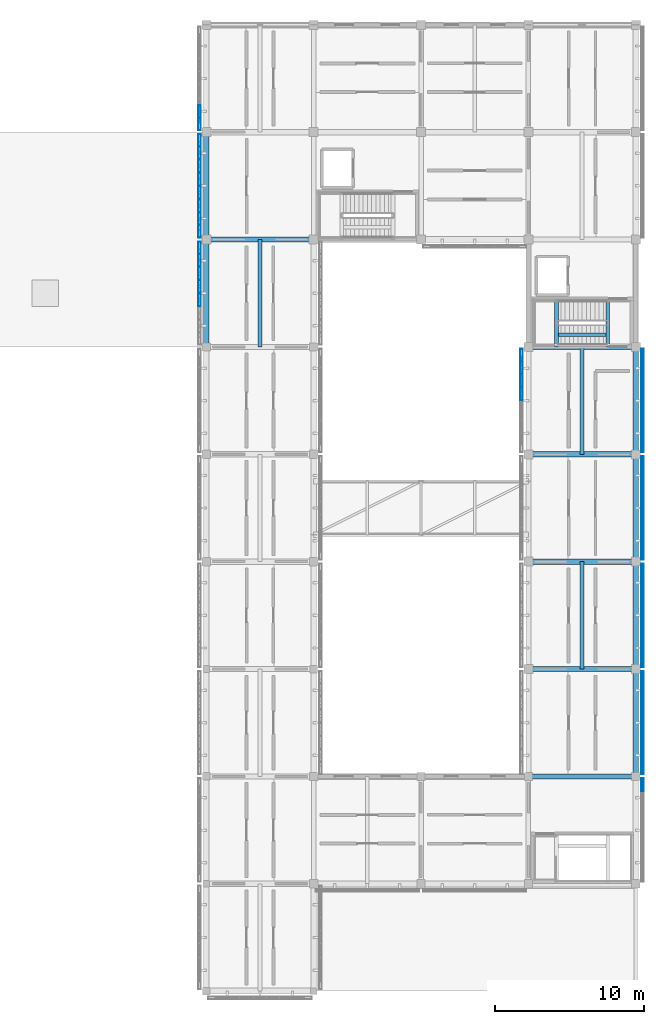
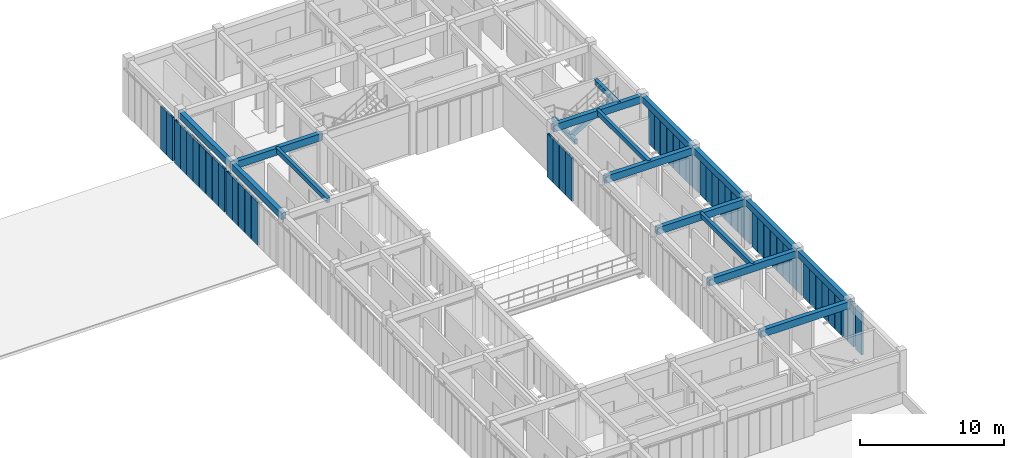
# One storey, part 14 of 91: 52 members, 18 beams, 9 elements without a shape of their own.
"""IFC4 building model written with IfcOpenShell, lengths in metres."""

from ifc_helpers import new_model, si_unit, direction, frame, origin, origin_2d, place, context, subcontext, project, spatial, rectangle, hollow_rectangle, extrude, material, material_profile, profile_set, type_object, element, aggregate, save


model = new_model("IFC4")

# Units and contexts
model_context = context("Model", 3, precision=1e-05, world=origin(), true_north=direction((0.0, 1.0)))
body_context = subcontext(model_context, "Body", "Model", "MODEL_VIEW")
ifc_project = project(units=[si_unit("LENGTHUNIT", "METRE"), si_unit("AREAUNIT", "SQUARE_METRE"), si_unit("VOLUMEUNIT", "CUBIC_METRE"), si_unit("PLANEANGLEUNIT", "RADIAN"), si_unit("MASSUNIT", "GRAM", prefix="KILO")], contexts=[model_context])

# Site, building, storey
site_placement = place(None, origin())
site = spatial("IfcSite", under=ifc_project, at=site_placement, CompositionType="ELEMENT")
building_placement = place(site_placement, origin())
building = spatial("IfcBuilding", under=site, at=building_placement, Name="Aldebral Square Health Centre", CompositionType="ELEMENT")
storey_placement = place(building_placement, frame((0.0, 0.0, 9.0)))
storey = spatial("IfcBuildingStorey", under=building, at=storey_placement, Name="L02", CompositionType="ELEMENT", Elevation=9.0)

# Beams
ifc_material_1 = material(Name="Concrete C40/50", Category="concrete")
ifc_material_profile_1 = material_profile(ifc_material_1, rectangle(XDim=0.35009765625, YDim=0.60009765625, at=origin_2d()), Name="RC 350x600")
ifc_profile_set_1 = profile_set([ifc_material_profile_1], Name="Concrete C40/50")
beam_type_1 = type_object("IfcBeamType", Name="BM-B2", PredefinedType="BEAM", material=ifc_profile_set_1)
beam_1_placement = place(storey_placement, frame((136.800048828125, 100.800048828125, 3.93994140625), z_axis=(1.0, 0.0, 0.0), x_axis=(0.0, 1.0, 0.0)))
element("IfcBeam", 1, at=beam_1_placement, inside=storey, type_object=beam_type_1, Name="L02 X-beam 20-21/G15", PredefinedType="BEAM", context=body_context, shape_type="SweptSolid", body=[
    extrude(rectangle(XDim=0.35009765625, YDim=0.60009765625, at=origin_2d()), origin(), (0.0, 0.0, 1.0), 7.199951171875),
])
for number, where, z_axis, x_axis, name in (
    (2, (158.39990234375, 64.800048828125, 3.93994140625), (1.0, 0.0, 0.0), (0.0, 1.0, 0.0), "L02 X-beam 23-24/G10"),
    (3, (158.39990234375, 72.0, 3.93994140625), (1.0, 0.0, 0.0), (0.0, 1.0, 0.0), "L02 X-beam 23-24/G11"),
    (4, (158.39990234375, 79.199951171875, 3.93994140625), (1.0, 0.0, 0.0), (0.0, 1.0, 0.0), "L02 X-beam 23-24/G12"),
    (5, (158.39990234375, 86.39990234375, 3.93994140625), (1.0, 0.0, 0.0), (0.0, 1.0, 0.0), "L02 X-beam 23-24/G13"),
    (6, (158.39990234375, 93.60009765625, 3.93994140625), (1.0, 0.0, 0.0), (0.0, 1.0, 0.0), "L02 X-beam 23-24/G14"),
):
    element("IfcBeam", number, at=place(storey_placement, frame(where, z_axis=z_axis, x_axis=x_axis)), inside=storey, type_object=beam_type_1, Name=name, PredefinedType="BEAM", context=body_context, shape_type="SweptSolid", body=[
        extrude(rectangle(XDim=0.35009765625, YDim=0.60009765625, at=origin_2d()), origin(), (0.0, 0.0, 1.0), 7.2001953125),
    ])
ifc_material_profile_2 = material_profile(ifc_material_1, rectangle(XDim=0.35009765625, YDim=0.550048828125, at=origin_2d()), Name="RC 350x550")
ifc_profile_set_2 = profile_set([ifc_material_profile_2], Name="Concrete C40/50")
beam_type_2 = type_object("IfcBeamType", Name="BM-B3", PredefinedType="BEAM", material=ifc_profile_set_2)
for number, where, z_axis, x_axis, name in (
    (7, (136.800048828125, 93.60009765625, 3.965087890625), (0.0, 1.0, 0.0), (-1.0, 0.0, 0.0), "L02 Y-beam G20/14-15"),
    (8, (136.800048828125, 100.800048828125, 3.965087890625), (0.0, 1.0, 0.0), (-1.0, 0.0, 0.0), "L02 Y-beam G20/15-16"),
    (9, (165.60009765625, 64.800048828125, 3.965087890625), (0.0, 1.0, 0.0), (-1.0, 0.0, 0.0), "L02 Y-beam G24/10-11"),
    (10, (165.60009765625, 72.0, 3.965087890625), (0.0, 1.0, 0.0), (-1.0, 0.0, 0.0), "L02 Y-beam G24/11-12"),
    (11, (165.60009765625, 79.199951171875, 3.965087890625), (0.0, 1.0, 0.0), (-1.0, 0.0, 0.0), "L02 Y-beam G24/12-13"),
):
    element("IfcBeam", number, at=place(storey_placement, frame(where, z_axis=z_axis, x_axis=x_axis)), inside=storey, type_object=beam_type_2, Name=name, PredefinedType="BEAM", context=body_context, shape_type="SweptSolid", body=[
        extrude(rectangle(XDim=0.35009765625, YDim=0.550048828125, at=origin_2d()), origin(), (0.0, 0.0, 1.0), 7.199951171875),
    ])
beam_2_placement = place(storey_placement, frame((165.60009765625, 86.39990234375, 3.965087890625), z_axis=(0.0, 1.0, 0.0), x_axis=(-1.0, 0.0, 0.0)))
element("IfcBeam", 12, at=beam_2_placement, inside=storey, type_object=beam_type_2, Name="L02 Y-beam G24/13-14", PredefinedType="BEAM", context=body_context, shape_type="SweptSolid", body=[
    extrude(rectangle(XDim=0.35009765625, YDim=0.550048828125, at=origin_2d()), origin(), (0.0, 0.0, 1.0), 7.2001953125),
])
ifc_material_profile_3 = material_profile(ifc_material_1, rectangle(XDim=0.25, YDim=0.39990234375, at=origin_2d()), Name="RC 250x400")
ifc_profile_set_3 = profile_set([ifc_material_profile_3], Name="Concrete C40/50")
beam_type_3 = type_object("IfcBeamType", Name="BM-B6", PredefinedType="JOIST", material=ifc_profile_set_3)
for number, where, z_axis, x_axis, name in (
    (13, (140.39990234375, 93.60009765625, 4.0400390625), (0.0, 1.0, 0.0), (-1.0, 0.0, 0.0), "L02 secondary rib 20.14"),
    (14, (162.0, 72.0, 4.0400390625), (0.0, 1.0, 0.0), (-1.0, 0.0, 0.0), "L02 secondary rib 23.11"),
):
    element("IfcBeam", number, at=place(storey_placement, frame(where, z_axis=z_axis, x_axis=x_axis)), inside=storey, type_object=beam_type_3, Name=name, PredefinedType="JOIST", context=body_context, shape_type="SweptSolid", body=[
        extrude(rectangle(XDim=0.25, YDim=0.39990234375, at=origin_2d()), origin(), (0.0, 0.0, 1.0), 7.199951171875),
    ])
beam_3_placement = place(storey_placement, frame((162.0, 86.39990234375, 4.0400390625), z_axis=(0.0, 1.0, 0.0), x_axis=(-1.0, 0.0, 0.0)))
element("IfcBeam", 15, at=beam_3_placement, inside=storey, type_object=beam_type_3, Name="L02 secondary rib 23.13", PredefinedType="JOIST", context=body_context, shape_type="SweptSolid", body=[
    extrude(rectangle(XDim=0.25, YDim=0.39990234375, at=origin_2d()), origin(), (0.0, 0.0, 1.0), 7.2001953125),
])
for number, where, z_axis, x_axis, name in (
    (16, (160.280029296875, 93.610107421875, 2.050048828125), (0.0, 1.0, 0.0), (-1.0, 0.0, 0.0), "L02 WC-C3 half-landing beam"),
    (17, (163.719970703125, 93.610107421875, 4.0400390625), (0.0, 1.0, 0.0), (-1.0, 0.0, 0.0), "L02 WC-C3 upper landing beam"),
):
    element("IfcBeam", number, at=place(storey_placement, frame(where, z_axis=z_axis, x_axis=x_axis)), inside=storey, type_object=beam_type_3, Name=name, PredefinedType="JOIST", context=body_context, shape_type="SweptSolid", body=[
        extrude(rectangle(XDim=0.25, YDim=0.39990234375, at=origin_2d()), origin(), (0.0, 0.0, 1.0), 3.219970703125),
    ])
beam_4_placement = place(storey_placement, frame((160.280029296875, 94.419921875, 2.050048828125), z_axis=(0.865595878586, 0.0, 0.500743222595), x_axis=(0.0, 1.0, 0.0)))
element("IfcBeam", 18, at=beam_4_placement, inside=storey, type_object=beam_type_3, Name="L02 WC-C3 flight stringer beam", PredefinedType="JOIST", context=body_context, shape_type="SweptSolid", body=[
    extrude(rectangle(XDim=0.25, YDim=0.39990234375, at=origin_2d()), origin(), (0.0, 0.0, 1.0), 3.97412109375),
])

# Curtain wall, members
ifc_material_2 = material(Name="Aluminium and low-E solar glass", Category="aluminium")
curtain_wall_type = type_object("IfcCurtainWallType", Name="CW-FIN-SYS", PredefinedType="USERDEFINED", material=ifc_material_2)
curtain_wall_1_placement = place(storey_placement, origin())
curtain_wall_1 = element("IfcCurtainWall", 19, at=curtain_wall_1_placement, inside=storey, type_object=curtain_wall_type, Name="L02 V5 finned curtain wall L02-V5-19-13-W", ObjectType="SOLAR_CURTAIN_WALL", PredefinedType="USERDEFINED")
ifc_material_3 = material(Name="Sienna-terracotta clad aluminium fin", Category="masonry")
ifc_material_profile_4 = material_profile(ifc_material_3, hollow_rectangle(XDim=0.159912109375, YDim=0.85009765625, WallThickness=0.006103515625, at=origin_2d()), Name="FIN 160x850x6")
ifc_profile_set_4 = profile_set([ifc_material_profile_4], Name="Sienna-terracotta clad aluminium fin")
member_type = type_object("IfcMemberType", Name="CWM-FIN", PredefinedType="MULLION", material=ifc_profile_set_4)
member_1_placement = place(storey_placement, frame((136.340087890625, 100.239990234375, 0.0), z_axis=(0.0, 0.0, 1.0), x_axis=(1.0, 0.0, 0.0)))
member_1 = element("IfcMember", 20, at=member_1_placement, type_object=member_type, Name="CW1 mullion 1", PredefinedType="MULLION", context=body_context, shape_type="SweptSolid", body=[
    extrude(hollow_rectangle(XDim=0.159912109375, YDim=0.85009765625, WallThickness=0.006103515625, at=origin_2d()), origin(), (0.0, 0.0, 1.0), 3.68994140625),
])
member_2_placement = place(storey_placement, frame((136.340087890625, 99.428466796875, 0.0), z_axis=(0.0, 0.0, 1.0), x_axis=(1.0, 0.0, 0.0)))
member_2 = element("IfcMember", 21, at=member_2_placement, type_object=member_type, Name="CW1 mullion 2", PredefinedType="MULLION", context=body_context, shape_type="SweptSolid", body=[
    extrude(hollow_rectangle(XDim=0.159912109375, YDim=0.85009765625, WallThickness=0.006103515625, at=origin_2d()), origin(), (0.0, 0.0, 1.0), 3.68994140625),
])
member_3_placement = place(storey_placement, frame((136.340087890625, 98.537109375, 0.0), z_axis=(0.0, 0.0, 1.0), x_axis=(1.0, 0.0, 0.0)))
member_3 = element("IfcMember", 22, at=member_3_placement, type_object=member_type, Name="CW1 mullion 3", PredefinedType="MULLION", context=body_context, shape_type="SweptSolid", body=[
    extrude(hollow_rectangle(XDim=0.159912109375, YDim=0.85009765625, WallThickness=0.006103515625, at=origin_2d()), origin(), (0.0, 0.0, 1.0), 3.68994140625),
])
member_4_placement = place(storey_placement, frame((136.340087890625, 97.645751953125, 0.0), z_axis=(0.0, 0.0, 1.0), x_axis=(1.0, 0.0, 0.0)))
member_4 = element("IfcMember", 23, at=member_4_placement, type_object=member_type, Name="CW1 mullion 4", PredefinedType="MULLION", context=body_context, shape_type="SweptSolid", body=[
    extrude(hollow_rectangle(XDim=0.159912109375, YDim=0.85009765625, WallThickness=0.006103515625, at=origin_2d()), origin(), (0.0, 0.0, 1.0), 3.68994140625),
])
member_5_placement = place(storey_placement, frame((136.340087890625, 96.75439453125, 0.0), z_axis=(0.0, 0.0, 1.0), x_axis=(1.0, 0.0, 0.0)))
member_5 = element("IfcMember", 24, at=member_5_placement, type_object=member_type, Name="CW1 mullion 5", PredefinedType="MULLION", context=body_context, shape_type="SweptSolid", body=[
    extrude(hollow_rectangle(XDim=0.159912109375, YDim=0.85009765625, WallThickness=0.006103515625, at=origin_2d()), origin(), (0.0, 0.0, 1.0), 3.68994140625),
])
aggregate(curtain_wall_1, [member_1, member_2, member_3, member_4, member_5])

curtain_wall_2_placement = place(storey_placement, origin())
curtain_wall_2 = element("IfcCurtainWall", 25, at=curtain_wall_2_placement, inside=storey, type_object=curtain_wall_type, Name="L02 V5 finned curtain wall L02-V5-19-14-W", ObjectType="SOLAR_CURTAIN_WALL", PredefinedType="USERDEFINED")
member_6_placement = place(storey_placement, frame((136.340087890625, 107.43994140625, 0.0), z_axis=(0.0, 0.0, 1.0), x_axis=(1.0, 0.0, 0.0)))
member_6 = element("IfcMember", 26, at=member_6_placement, type_object=member_type, Name="CW1 mullion 1", PredefinedType="MULLION", context=body_context, shape_type="SweptSolid", body=[
    extrude(hollow_rectangle(XDim=0.159912109375, YDim=0.85009765625, WallThickness=0.006103515625, at=origin_2d()), origin(), (0.0, 0.0, 1.0), 3.68994140625),
])
member_7_placement = place(storey_placement, frame((136.340087890625, 106.628662109375, 0.0), z_axis=(0.0, 0.0, 1.0), x_axis=(1.0, 0.0, 0.0)))
member_7 = element("IfcMember", 27, at=member_7_placement, type_object=member_type, Name="CW1 mullion 2", PredefinedType="MULLION", context=body_context, shape_type="SweptSolid", body=[
    extrude(hollow_rectangle(XDim=0.159912109375, YDim=0.85009765625, WallThickness=0.006103515625, at=origin_2d()), origin(), (0.0, 0.0, 1.0), 3.68994140625),
])
member_8_placement = place(storey_placement, frame((136.340087890625, 105.737060546875, 0.0), z_axis=(0.0, 0.0, 1.0), x_axis=(1.0, 0.0, 0.0)))
member_8 = element("IfcMember", 28, at=member_8_placement, type_object=member_type, Name="CW1 mullion 3", PredefinedType="MULLION", context=body_context, shape_type="SweptSolid", body=[
    extrude(hollow_rectangle(XDim=0.159912109375, YDim=0.85009765625, WallThickness=0.006103515625, at=origin_2d()), origin(), (0.0, 0.0, 1.0), 3.68994140625),
])
member_9_placement = place(storey_placement, frame((136.340087890625, 104.845703125, 0.0), z_axis=(0.0, 0.0, 1.0), x_axis=(1.0, 0.0, 0.0)))
member_9 = element("IfcMember", 29, at=member_9_placement, type_object=member_type, Name="CW1 mullion 4", PredefinedType="MULLION", context=body_context, shape_type="SweptSolid", body=[
    extrude(hollow_rectangle(XDim=0.159912109375, YDim=0.85009765625, WallThickness=0.006103515625, at=origin_2d()), origin(), (0.0, 0.0, 1.0), 3.68994140625),
])
member_10_placement = place(storey_placement, frame((136.340087890625, 103.954345703125, 0.0), z_axis=(0.0, 0.0, 1.0), x_axis=(1.0, 0.0, 0.0)))
member_10 = element("IfcMember", 30, at=member_10_placement, type_object=member_type, Name="CW1 mullion 5", PredefinedType="MULLION", context=body_context, shape_type="SweptSolid", body=[
    extrude(hollow_rectangle(XDim=0.159912109375, YDim=0.85009765625, WallThickness=0.006103515625, at=origin_2d()), origin(), (0.0, 0.0, 1.0), 3.68994140625),
])
member_11_placement = place(storey_placement, frame((136.340087890625, 103.062744140625, 0.0), z_axis=(0.0, 0.0, 1.0), x_axis=(1.0, 0.0, 0.0)))
member_11 = element("IfcMember", 31, at=member_11_placement, type_object=member_type, Name="CW1 mullion 6", PredefinedType="MULLION", context=body_context, shape_type="SweptSolid", body=[
    extrude(hollow_rectangle(XDim=0.159912109375, YDim=0.85009765625, WallThickness=0.006103515625, at=origin_2d()), origin(), (0.0, 0.0, 1.0), 3.68994140625),
])
member_12_placement = place(storey_placement, frame((136.340087890625, 102.17138671875, 0.0), z_axis=(0.0, 0.0, 1.0), x_axis=(1.0, 0.0, 0.0)))
member_12 = element("IfcMember", 32, at=member_12_placement, type_object=member_type, Name="CW1 mullion 7", PredefinedType="MULLION", context=body_context, shape_type="SweptSolid", body=[
    extrude(hollow_rectangle(XDim=0.159912109375, YDim=0.85009765625, WallThickness=0.006103515625, at=origin_2d()), origin(), (0.0, 0.0, 1.0), 3.68994140625),
])
member_13_placement = place(storey_placement, frame((136.340087890625, 101.360107421875, 0.0), z_axis=(0.0, 0.0, 1.0), x_axis=(1.0, 0.0, 0.0)))
member_13 = element("IfcMember", 33, at=member_13_placement, type_object=member_type, Name="CW1 mullion 8", PredefinedType="MULLION", context=body_context, shape_type="SweptSolid", body=[
    extrude(hollow_rectangle(XDim=0.159912109375, YDim=0.85009765625, WallThickness=0.006103515625, at=origin_2d()), origin(), (0.0, 0.0, 1.0), 3.68994140625),
])
aggregate(curtain_wall_2, [member_6, member_7, member_8, member_9, member_10, member_11, member_12, member_13])

curtain_wall_3_placement = place(storey_placement, origin())
curtain_wall_3 = element("IfcCurtainWall", 34, at=curtain_wall_3_placement, inside=storey, type_object=curtain_wall_type, Name="L02 V5 finned curtain wall L02-V5-19-15-W", ObjectType="SOLAR_CURTAIN_WALL", PredefinedType="USERDEFINED")
member_14_placement = place(storey_placement, frame((136.340087890625, 109.371337890625, 0.0), z_axis=(0.0, 0.0, 1.0), x_axis=(1.0, 0.0, 0.0)))
member_14 = element("IfcMember", 35, at=member_14_placement, type_object=member_type, Name="CW1 mullion 7", PredefinedType="MULLION", context=body_context, shape_type="SweptSolid", body=[
    extrude(hollow_rectangle(XDim=0.159912109375, YDim=0.85009765625, WallThickness=0.006103515625, at=origin_2d()), origin(), (0.0, 0.0, 1.0), 3.68994140625),
])
member_15_placement = place(storey_placement, frame((136.340087890625, 108.56005859375, 0.0), z_axis=(0.0, 0.0, 1.0), x_axis=(1.0, 0.0, 0.0)))
member_15 = element("IfcMember", 36, at=member_15_placement, type_object=member_type, Name="CW1 mullion 8", PredefinedType="MULLION", context=body_context, shape_type="SweptSolid", body=[
    extrude(hollow_rectangle(XDim=0.159912109375, YDim=0.85009765625, WallThickness=0.006103515625, at=origin_2d()), origin(), (0.0, 0.0, 1.0), 3.68994140625),
])
aggregate(curtain_wall_3, [member_14, member_15])

# Curtain wall, member
curtain_wall_4_placement = place(storey_placement, origin())
curtain_wall_4 = element("IfcCurtainWall", 37, at=curtain_wall_4_placement, inside=storey, type_object=curtain_wall_type, Name="L02 V5 finned curtain wall L02-V5-22-08-E", ObjectType="SOLAR_CURTAIN_WALL", PredefinedType="USERDEFINED")
member_16_placement = place(storey_placement, frame((166.06005859375, 64.239990234375, 0.0), z_axis=(0.0, 0.0, 1.0), x_axis=(-1.0, 0.0, 0.0)))
member_16 = element("IfcMember", 38, at=member_16_placement, type_object=member_type, Name="CW1 mullion 8", PredefinedType="MULLION", context=body_context, shape_type="SweptSolid", body=[
    extrude(hollow_rectangle(XDim=0.159912109375, YDim=0.85009765625, WallThickness=0.006103515625, at=origin_2d()), origin(), (0.0, 0.0, 1.0), 3.68994140625),
])
aggregate(curtain_wall_4, [member_16])

# Curtain wall, members
curtain_wall_5_placement = place(storey_placement, origin())
curtain_wall_5 = element("IfcCurtainWall", 39, at=curtain_wall_5_placement, inside=storey, type_object=curtain_wall_type, Name="L02 V5 finned curtain wall L02-V5-22-09-E", ObjectType="SOLAR_CURTAIN_WALL", PredefinedType="USERDEFINED")
member_17_placement = place(storey_placement, frame((166.06005859375, 65.360107421875, 0.0), z_axis=(0.0, 0.0, 1.0), x_axis=(-1.0, 0.0, 0.0)))
member_17 = element("IfcMember", 40, at=member_17_placement, type_object=member_type, Name="CW1 mullion 1", PredefinedType="MULLION", context=body_context, shape_type="SweptSolid", body=[
    extrude(hollow_rectangle(XDim=0.159912109375, YDim=0.85009765625, WallThickness=0.006103515625, at=origin_2d()), origin(), (0.0, 0.0, 1.0), 3.68994140625),
])
member_18_placement = place(storey_placement, frame((166.06005859375, 66.17138671875, 0.0), z_axis=(0.0, 0.0, 1.0), x_axis=(-1.0, 0.0, 0.0)))
member_18 = element("IfcMember", 41, at=member_18_placement, type_object=member_type, Name="CW1 mullion 2", PredefinedType="MULLION", context=body_context, shape_type="SweptSolid", body=[
    extrude(hollow_rectangle(XDim=0.159912109375, YDim=0.85009765625, WallThickness=0.006103515625, at=origin_2d()), origin(), (0.0, 0.0, 1.0), 3.68994140625),
])
member_19_placement = place(storey_placement, frame((166.06005859375, 67.062744140625, 0.0), z_axis=(0.0, 0.0, 1.0), x_axis=(-1.0, 0.0, 0.0)))
member_19 = element("IfcMember", 42, at=member_19_placement, type_object=member_type, Name="CW1 mullion 3", PredefinedType="MULLION", context=body_context, shape_type="SweptSolid", body=[
    extrude(hollow_rectangle(XDim=0.159912109375, YDim=0.85009765625, WallThickness=0.006103515625, at=origin_2d()), origin(), (0.0, 0.0, 1.0), 3.68994140625),
])
member_20_placement = place(storey_placement, frame((166.06005859375, 67.954345703125, 0.0), z_axis=(0.0, 0.0, 1.0), x_axis=(-1.0, 0.0, 0.0)))
member_20 = element("IfcMember", 43, at=member_20_placement, type_object=member_type, Name="CW1 mullion 4", PredefinedType="MULLION", context=body_context, shape_type="SweptSolid", body=[
    extrude(hollow_rectangle(XDim=0.159912109375, YDim=0.85009765625, WallThickness=0.006103515625, at=origin_2d()), origin(), (0.0, 0.0, 1.0), 3.68994140625),
])
member_21_placement = place(storey_placement, frame((166.06005859375, 68.845703125, 0.0), z_axis=(0.0, 0.0, 1.0), x_axis=(-1.0, 0.0, 0.0)))
member_21 = element("IfcMember", 44, at=member_21_placement, type_object=member_type, Name="CW1 mullion 5", PredefinedType="MULLION", context=body_context, shape_type="SweptSolid", body=[
    extrude(hollow_rectangle(XDim=0.159912109375, YDim=0.85009765625, WallThickness=0.006103515625, at=origin_2d()), origin(), (0.0, 0.0, 1.0), 3.68994140625),
])
member_22_placement = place(storey_placement, frame((166.06005859375, 69.737060546875, 0.0), z_axis=(0.0, 0.0, 1.0), x_axis=(-1.0, 0.0, 0.0)))
member_22 = element("IfcMember", 45, at=member_22_placement, type_object=member_type, Name="CW1 mullion 6", PredefinedType="MULLION", context=body_context, shape_type="SweptSolid", body=[
    extrude(hollow_rectangle(XDim=0.159912109375, YDim=0.85009765625, WallThickness=0.006103515625, at=origin_2d()), origin(), (0.0, 0.0, 1.0), 3.68994140625),
])
member_23_placement = place(storey_placement, frame((166.06005859375, 70.628662109375, 0.0), z_axis=(0.0, 0.0, 1.0), x_axis=(-1.0, 0.0, 0.0)))
member_23 = element("IfcMember", 46, at=member_23_placement, type_object=member_type, Name="CW1 mullion 7", PredefinedType="MULLION", context=body_context, shape_type="SweptSolid", body=[
    extrude(hollow_rectangle(XDim=0.159912109375, YDim=0.85009765625, WallThickness=0.006103515625, at=origin_2d()), origin(), (0.0, 0.0, 1.0), 3.68994140625),
])
member_24_placement = place(storey_placement, frame((166.06005859375, 71.43994140625, 0.0), z_axis=(0.0, 0.0, 1.0), x_axis=(-1.0, 0.0, 0.0)))
member_24 = element("IfcMember", 47, at=member_24_placement, type_object=member_type, Name="CW1 mullion 8", PredefinedType="MULLION", context=body_context, shape_type="SweptSolid", body=[
    extrude(hollow_rectangle(XDim=0.159912109375, YDim=0.85009765625, WallThickness=0.006103515625, at=origin_2d()), origin(), (0.0, 0.0, 1.0), 3.68994140625),
])
aggregate(curtain_wall_5, [member_17, member_18, member_19, member_20, member_21, member_22, member_23, member_24])

curtain_wall_6_placement = place(storey_placement, origin())
curtain_wall_6 = element("IfcCurtainWall", 48, at=curtain_wall_6_placement, inside=storey, type_object=curtain_wall_type, Name="L02 V5 finned curtain wall L02-V5-22-10-E", ObjectType="SOLAR_CURTAIN_WALL", PredefinedType="USERDEFINED")
member_25_placement = place(storey_placement, frame((166.06005859375, 72.56005859375, 0.0), z_axis=(0.0, 0.0, 1.0), x_axis=(-1.0, 0.0, 0.0)))
member_25 = element("IfcMember", 49, at=member_25_placement, type_object=member_type, Name="CW1 mullion 1", PredefinedType="MULLION", context=body_context, shape_type="SweptSolid", body=[
    extrude(hollow_rectangle(XDim=0.159912109375, YDim=0.85009765625, WallThickness=0.006103515625, at=origin_2d()), origin(), (0.0, 0.0, 1.0), 3.68994140625),
])
member_26_placement = place(storey_placement, frame((166.06005859375, 73.371337890625, 0.0), z_axis=(0.0, 0.0, 1.0), x_axis=(-1.0, 0.0, 0.0)))
member_26 = element("IfcMember", 50, at=member_26_placement, type_object=member_type, Name="CW1 mullion 2", PredefinedType="MULLION", context=body_context, shape_type="SweptSolid", body=[
    extrude(hollow_rectangle(XDim=0.159912109375, YDim=0.85009765625, WallThickness=0.006103515625, at=origin_2d()), origin(), (0.0, 0.0, 1.0), 3.68994140625),
])
member_27_placement = place(storey_placement, frame((166.06005859375, 74.262939453125, 0.0), z_axis=(0.0, 0.0, 1.0), x_axis=(-1.0, 0.0, 0.0)))
member_27 = element("IfcMember", 51, at=member_27_placement, type_object=member_type, Name="CW1 mullion 3", PredefinedType="MULLION", context=body_context, shape_type="SweptSolid", body=[
    extrude(hollow_rectangle(XDim=0.159912109375, YDim=0.85009765625, WallThickness=0.006103515625, at=origin_2d()), origin(), (0.0, 0.0, 1.0), 3.68994140625),
])
member_28_placement = place(storey_placement, frame((166.06005859375, 75.154296875, 0.0), z_axis=(0.0, 0.0, 1.0), x_axis=(-1.0, 0.0, 0.0)))
member_28 = element("IfcMember", 52, at=member_28_placement, type_object=member_type, Name="CW1 mullion 4", PredefinedType="MULLION", context=body_context, shape_type="SweptSolid", body=[
    extrude(hollow_rectangle(XDim=0.159912109375, YDim=0.85009765625, WallThickness=0.006103515625, at=origin_2d()), origin(), (0.0, 0.0, 1.0), 3.68994140625),
])
member_29_placement = place(storey_placement, frame((166.06005859375, 76.045654296875, 0.0), z_axis=(0.0, 0.0, 1.0), x_axis=(-1.0, 0.0, 0.0)))
member_29 = element("IfcMember", 53, at=member_29_placement, type_object=member_type, Name="CW1 mullion 5", PredefinedType="MULLION", context=body_context, shape_type="SweptSolid", body=[
    extrude(hollow_rectangle(XDim=0.159912109375, YDim=0.85009765625, WallThickness=0.006103515625, at=origin_2d()), origin(), (0.0, 0.0, 1.0), 3.68994140625),
])
member_30_placement = place(storey_placement, frame((166.06005859375, 76.937255859375, 0.0), z_axis=(0.0, 0.0, 1.0), x_axis=(-1.0, 0.0, 0.0)))
member_30 = element("IfcMember", 54, at=member_30_placement, type_object=member_type, Name="CW1 mullion 6", PredefinedType="MULLION", context=body_context, shape_type="SweptSolid", body=[
    extrude(hollow_rectangle(XDim=0.159912109375, YDim=0.85009765625, WallThickness=0.006103515625, at=origin_2d()), origin(), (0.0, 0.0, 1.0), 3.68994140625),
])
member_31_placement = place(storey_placement, frame((166.06005859375, 77.82861328125, 0.0), z_axis=(0.0, 0.0, 1.0), x_axis=(-1.0, 0.0, 0.0)))
member_31 = element("IfcMember", 55, at=member_31_placement, type_object=member_type, Name="CW1 mullion 7", PredefinedType="MULLION", context=body_context, shape_type="SweptSolid", body=[
    extrude(hollow_rectangle(XDim=0.159912109375, YDim=0.85009765625, WallThickness=0.006103515625, at=origin_2d()), origin(), (0.0, 0.0, 1.0), 3.68994140625),
])
member_32_placement = place(storey_placement, frame((166.06005859375, 78.639892578125, 0.0), z_axis=(0.0, 0.0, 1.0), x_axis=(-1.0, 0.0, 0.0)))
member_32 = element("IfcMember", 56, at=member_32_placement, type_object=member_type, Name="CW1 mullion 8", PredefinedType="MULLION", context=body_context, shape_type="SweptSolid", body=[
    extrude(hollow_rectangle(XDim=0.159912109375, YDim=0.85009765625, WallThickness=0.006103515625, at=origin_2d()), origin(), (0.0, 0.0, 1.0), 3.68994140625),
])
aggregate(curtain_wall_6, [member_25, member_26, member_27, member_28, member_29, member_30, member_31, member_32])

curtain_wall_7_placement = place(storey_placement, origin())
curtain_wall_7 = element("IfcCurtainWall", 57, at=curtain_wall_7_placement, inside=storey, type_object=curtain_wall_type, Name="L02 V5 finned curtain wall L02-V5-22-11-E", ObjectType="SOLAR_CURTAIN_WALL", PredefinedType="USERDEFINED")
member_33_placement = place(storey_placement, frame((166.06005859375, 79.760009765625, 0.0), z_axis=(0.0, 0.0, 1.0), x_axis=(-1.0, 0.0, 0.0)))
member_33 = element("IfcMember", 58, at=member_33_placement, type_object=member_type, Name="CW1 mullion 1", PredefinedType="MULLION", context=body_context, shape_type="SweptSolid", body=[
    extrude(hollow_rectangle(XDim=0.159912109375, YDim=0.85009765625, WallThickness=0.006103515625, at=origin_2d()), origin(), (0.0, 0.0, 1.0), 3.68994140625),
])
member_34_placement = place(storey_placement, frame((166.06005859375, 80.571533203125, 0.0), z_axis=(0.0, 0.0, 1.0), x_axis=(-1.0, 0.0, 0.0)))
member_34 = element("IfcMember", 59, at=member_34_placement, type_object=member_type, Name="CW1 mullion 2", PredefinedType="MULLION", context=body_context, shape_type="SweptSolid", body=[
    extrude(hollow_rectangle(XDim=0.159912109375, YDim=0.85009765625, WallThickness=0.006103515625, at=origin_2d()), origin(), (0.0, 0.0, 1.0), 3.68994140625),
])
member_35_placement = place(storey_placement, frame((166.06005859375, 81.462890625, 0.0), z_axis=(0.0, 0.0, 1.0), x_axis=(-1.0, 0.0, 0.0)))
member_35 = element("IfcMember", 60, at=member_35_placement, type_object=member_type, Name="CW1 mullion 3", PredefinedType="MULLION", context=body_context, shape_type="SweptSolid", body=[
    extrude(hollow_rectangle(XDim=0.159912109375, YDim=0.85009765625, WallThickness=0.006103515625, at=origin_2d()), origin(), (0.0, 0.0, 1.0), 3.68994140625),
])
member_36_placement = place(storey_placement, frame((166.06005859375, 82.354248046875, 0.0), z_axis=(0.0, 0.0, 1.0), x_axis=(-1.0, 0.0, 0.0)))
member_36 = element("IfcMember", 61, at=member_36_placement, type_object=member_type, Name="CW1 mullion 4", PredefinedType="MULLION", context=body_context, shape_type="SweptSolid", body=[
    extrude(hollow_rectangle(XDim=0.159912109375, YDim=0.85009765625, WallThickness=0.006103515625, at=origin_2d()), origin(), (0.0, 0.0, 1.0), 3.68994140625),
])
member_37_placement = place(storey_placement, frame((166.06005859375, 83.24560546875, 0.0), z_axis=(0.0, 0.0, 1.0), x_axis=(-1.0, 0.0, 0.0)))
member_37 = element("IfcMember", 62, at=member_37_placement, type_object=member_type, Name="CW1 mullion 5", PredefinedType="MULLION", context=body_context, shape_type="SweptSolid", body=[
    extrude(hollow_rectangle(XDim=0.159912109375, YDim=0.85009765625, WallThickness=0.006103515625, at=origin_2d()), origin(), (0.0, 0.0, 1.0), 3.68994140625),
])
member_38_placement = place(storey_placement, frame((166.06005859375, 84.13720703125, 0.0), z_axis=(0.0, 0.0, 1.0), x_axis=(-1.0, 0.0, 0.0)))
member_38 = element("IfcMember", 63, at=member_38_placement, type_object=member_type, Name="CW1 mullion 6", PredefinedType="MULLION", context=body_context, shape_type="SweptSolid", body=[
    extrude(hollow_rectangle(XDim=0.159912109375, YDim=0.85009765625, WallThickness=0.006103515625, at=origin_2d()), origin(), (0.0, 0.0, 1.0), 3.68994140625),
])
member_39_placement = place(storey_placement, frame((166.06005859375, 85.028564453125, 0.0), z_axis=(0.0, 0.0, 1.0), x_axis=(-1.0, 0.0, 0.0)))
member_39 = element("IfcMember", 64, at=member_39_placement, type_object=member_type, Name="CW1 mullion 7", PredefinedType="MULLION", context=body_context, shape_type="SweptSolid", body=[
    extrude(hollow_rectangle(XDim=0.159912109375, YDim=0.85009765625, WallThickness=0.006103515625, at=origin_2d()), origin(), (0.0, 0.0, 1.0), 3.68994140625),
])
member_40_placement = place(storey_placement, frame((166.06005859375, 85.840087890625, 0.0), z_axis=(0.0, 0.0, 1.0), x_axis=(-1.0, 0.0, 0.0)))
member_40 = element("IfcMember", 65, at=member_40_placement, type_object=member_type, Name="CW1 mullion 8", PredefinedType="MULLION", context=body_context, shape_type="SweptSolid", body=[
    extrude(hollow_rectangle(XDim=0.159912109375, YDim=0.85009765625, WallThickness=0.006103515625, at=origin_2d()), origin(), (0.0, 0.0, 1.0), 3.68994140625),
])
aggregate(curtain_wall_7, [member_33, member_34, member_35, member_36, member_37, member_38, member_39, member_40])

curtain_wall_8_placement = place(storey_placement, origin())
curtain_wall_8 = element("IfcCurtainWall", 66, at=curtain_wall_8_placement, inside=storey, type_object=curtain_wall_type, Name="L02 V5 finned curtain wall L02-V5-22-12-W", ObjectType="SOLAR_CURTAIN_WALL", PredefinedType="USERDEFINED")
member_41_placement = place(storey_placement, frame((157.93994140625, 93.0400390625, 0.0), z_axis=(0.0, 0.0, 1.0), x_axis=(1.0, 0.0, 0.0)))
member_41 = element("IfcMember", 67, at=member_41_placement, type_object=member_type, Name="CW1 mullion 1", PredefinedType="MULLION", context=body_context, shape_type="SweptSolid", body=[
    extrude(hollow_rectangle(XDim=0.159912109375, YDim=0.85009765625, WallThickness=0.006103515625, at=origin_2d()), origin(), (0.0, 0.0, 1.0), 3.68994140625),
])
member_42_placement = place(storey_placement, frame((157.93994140625, 92.228515625, 0.0), z_axis=(0.0, 0.0, 1.0), x_axis=(1.0, 0.0, 0.0)))
member_42 = element("IfcMember", 68, at=member_42_placement, type_object=member_type, Name="CW1 mullion 2", PredefinedType="MULLION", context=body_context, shape_type="SweptSolid", body=[
    extrude(hollow_rectangle(XDim=0.159912109375, YDim=0.85009765625, WallThickness=0.006103515625, at=origin_2d()), origin(), (0.0, 0.0, 1.0), 3.68994140625),
])
member_43_placement = place(storey_placement, frame((157.93994140625, 91.337158203125, 0.0), z_axis=(0.0, 0.0, 1.0), x_axis=(1.0, 0.0, 0.0)))
member_43 = element("IfcMember", 69, at=member_43_placement, type_object=member_type, Name="CW1 mullion 3", PredefinedType="MULLION", context=body_context, shape_type="SweptSolid", body=[
    extrude(hollow_rectangle(XDim=0.159912109375, YDim=0.85009765625, WallThickness=0.006103515625, at=origin_2d()), origin(), (0.0, 0.0, 1.0), 3.68994140625),
])
member_44_placement = place(storey_placement, frame((157.93994140625, 90.44580078125, 0.0), z_axis=(0.0, 0.0, 1.0), x_axis=(1.0, 0.0, 0.0)))
member_44 = element("IfcMember", 70, at=member_44_placement, type_object=member_type, Name="CW1 mullion 4", PredefinedType="MULLION", context=body_context, shape_type="SweptSolid", body=[
    extrude(hollow_rectangle(XDim=0.159912109375, YDim=0.85009765625, WallThickness=0.006103515625, at=origin_2d()), origin(), (0.0, 0.0, 1.0), 3.68994140625),
])
aggregate(curtain_wall_8, [member_41, member_42, member_43, member_44])

curtain_wall_9_placement = place(storey_placement, origin())
curtain_wall_9 = element("IfcCurtainWall", 71, at=curtain_wall_9_placement, inside=storey, type_object=curtain_wall_type, Name="L02 V5 finned curtain wall L02-V5-22-12-E", ObjectType="SOLAR_CURTAIN_WALL", PredefinedType="USERDEFINED")
member_45_placement = place(storey_placement, frame((166.06005859375, 86.9599609375, 0.0), z_axis=(0.0, 0.0, 1.0), x_axis=(-1.0, 0.0, 0.0)))
member_45 = element("IfcMember", 72, at=member_45_placement, type_object=member_type, Name="CW1 mullion 1", PredefinedType="MULLION", context=body_context, shape_type="SweptSolid", body=[
    extrude(hollow_rectangle(XDim=0.159912109375, YDim=0.85009765625, WallThickness=0.006103515625, at=origin_2d()), origin(), (0.0, 0.0, 1.0), 3.68994140625),
])
member_46_placement = place(storey_placement, frame((166.06005859375, 87.771484375, 0.0), z_axis=(0.0, 0.0, 1.0), x_axis=(-1.0, 0.0, 0.0)))
member_46 = element("IfcMember", 73, at=member_46_placement, type_object=member_type, Name="CW1 mullion 2", PredefinedType="MULLION", context=body_context, shape_type="SweptSolid", body=[
    extrude(hollow_rectangle(XDim=0.159912109375, YDim=0.85009765625, WallThickness=0.006103515625, at=origin_2d()), origin(), (0.0, 0.0, 1.0), 3.68994140625),
])
member_47_placement = place(storey_placement, frame((166.06005859375, 88.662841796875, 0.0), z_axis=(0.0, 0.0, 1.0), x_axis=(-1.0, 0.0, 0.0)))
member_47 = element("IfcMember", 74, at=member_47_placement, type_object=member_type, Name="CW1 mullion 3", PredefinedType="MULLION", context=body_context, shape_type="SweptSolid", body=[
    extrude(hollow_rectangle(XDim=0.159912109375, YDim=0.85009765625, WallThickness=0.006103515625, at=origin_2d()), origin(), (0.0, 0.0, 1.0), 3.68994140625),
])
member_48_placement = place(storey_placement, frame((166.06005859375, 89.55419921875, 0.0), z_axis=(0.0, 0.0, 1.0), x_axis=(-1.0, 0.0, 0.0)))
member_48 = element("IfcMember", 75, at=member_48_placement, type_object=member_type, Name="CW1 mullion 4", PredefinedType="MULLION", context=body_context, shape_type="SweptSolid", body=[
    extrude(hollow_rectangle(XDim=0.159912109375, YDim=0.85009765625, WallThickness=0.006103515625, at=origin_2d()), origin(), (0.0, 0.0, 1.0), 3.68994140625),
])
member_49_placement = place(storey_placement, frame((166.06005859375, 90.44580078125, 0.0), z_axis=(0.0, 0.0, 1.0), x_axis=(-1.0, 0.0, 0.0)))
member_49 = element("IfcMember", 76, at=member_49_placement, type_object=member_type, Name="CW1 mullion 5", PredefinedType="MULLION", context=body_context, shape_type="SweptSolid", body=[
    extrude(hollow_rectangle(XDim=0.159912109375, YDim=0.85009765625, WallThickness=0.006103515625, at=origin_2d()), origin(), (0.0, 0.0, 1.0), 3.68994140625),
])
member_50_placement = place(storey_placement, frame((166.06005859375, 91.337158203125, 0.0), z_axis=(0.0, 0.0, 1.0), x_axis=(-1.0, 0.0, 0.0)))
member_50 = element("IfcMember", 77, at=member_50_placement, type_object=member_type, Name="CW1 mullion 6", PredefinedType="MULLION", context=body_context, shape_type="SweptSolid", body=[
    extrude(hollow_rectangle(XDim=0.159912109375, YDim=0.85009765625, WallThickness=0.006103515625, at=origin_2d()), origin(), (0.0, 0.0, 1.0), 3.68994140625),
])
member_51_placement = place(storey_placement, frame((166.06005859375, 92.228515625, 0.0), z_axis=(0.0, 0.0, 1.0), x_axis=(-1.0, 0.0, 0.0)))
member_51 = element("IfcMember", 78, at=member_51_placement, type_object=member_type, Name="CW1 mullion 7", PredefinedType="MULLION", context=body_context, shape_type="SweptSolid", body=[
    extrude(hollow_rectangle(XDim=0.159912109375, YDim=0.85009765625, WallThickness=0.006103515625, at=origin_2d()), origin(), (0.0, 0.0, 1.0), 3.68994140625),
])
member_52_placement = place(storey_placement, frame((166.06005859375, 93.0400390625, 0.0), z_axis=(0.0, 0.0, 1.0), x_axis=(-1.0, 0.0, 0.0)))
member_52 = element("IfcMember", 79, at=member_52_placement, type_object=member_type, Name="CW1 mullion 8", PredefinedType="MULLION", context=body_context, shape_type="SweptSolid", body=[
    extrude(hollow_rectangle(XDim=0.159912109375, YDim=0.85009765625, WallThickness=0.006103515625, at=origin_2d()), origin(), (0.0, 0.0, 1.0), 3.68994140625),
])
aggregate(curtain_wall_9, [member_45, member_46, member_47, member_48, member_49, member_50, member_51, member_52])

save(model, "model.ifc")
